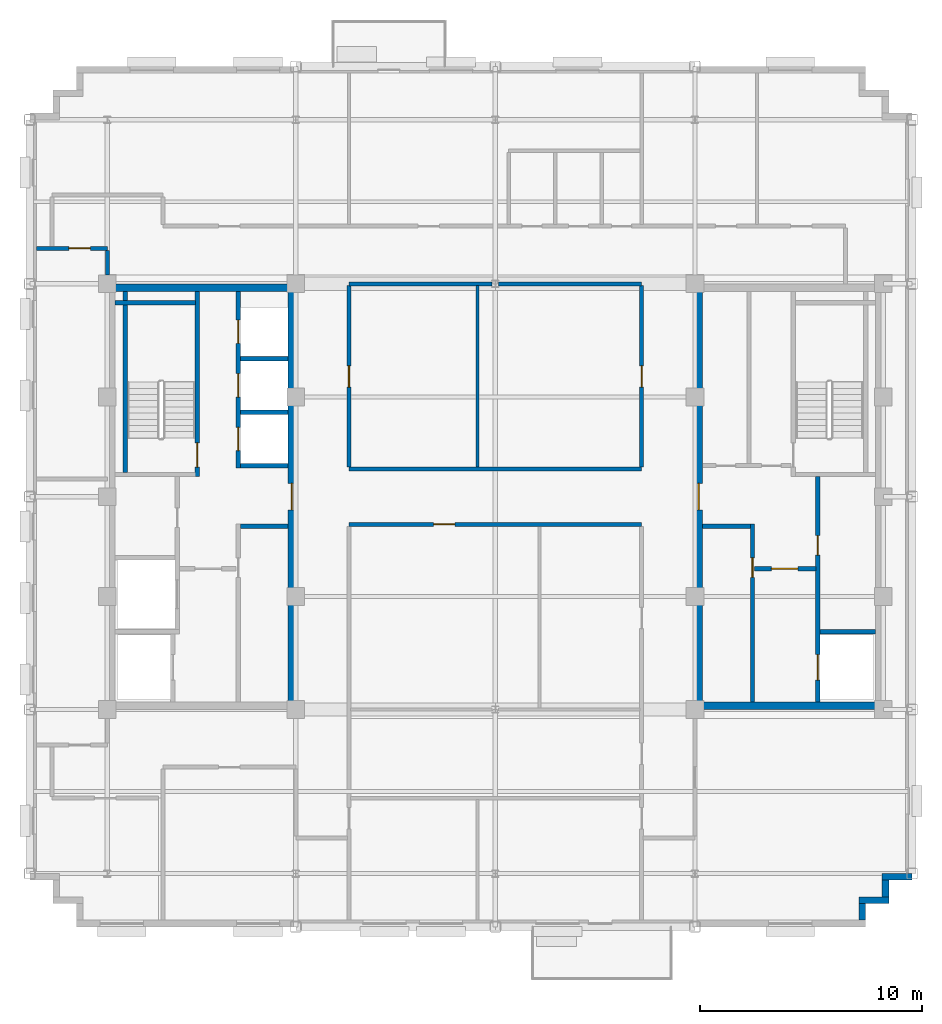
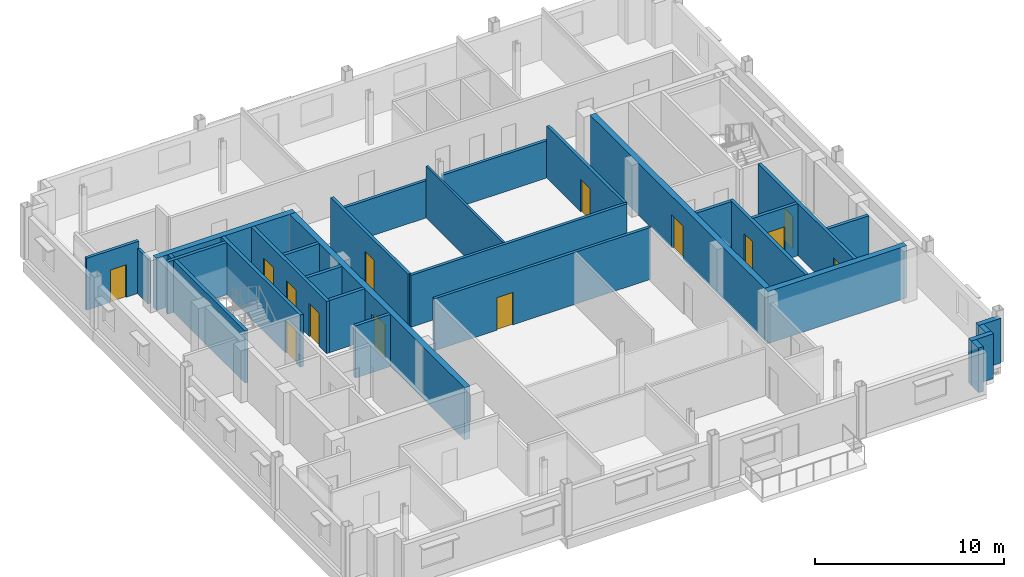
# One storey, part 7 of 13: 30 walls, 14 doors, 14 openings.
"""IFC4 building model written with IfcOpenShell, lengths in metres."""

from ifc_helpers import new_model, si_unit, direction, frame, frame_2d, origin, place, context, subcontext, project, spatial, rectangle, extrude, source, transform, mapped, material, layer, layer_set, type_object, type_shapes, element, fill, save


model = new_model("IFC4")

# Units and contexts
model_context = context("Model", 3, precision=1e-05, world=origin(), true_north=direction((0.0, 1.0)))
body_context = subcontext(model_context, "Body", "Model", "MODEL_VIEW")
ifc_project = project(units=[si_unit("LENGTHUNIT", "METRE"), si_unit("AREAUNIT", "SQUARE_METRE"), si_unit("VOLUMEUNIT", "CUBIC_METRE"), si_unit("PLANEANGLEUNIT", "RADIAN"), si_unit("MASSUNIT", "GRAM", prefix="KILO")], contexts=[model_context])

# Site, building, storey
site_placement = place(None, origin())
site = spatial("IfcSite", under=ifc_project, at=site_placement, CompositionType="ELEMENT")
building_placement = place(site_placement, origin())
building = spatial("IfcBuilding", under=site, at=building_placement, Name="Nuvemarco Arch Tower", CompositionType="ELEMENT")
storey_placement = place(building_placement, frame((0.0, 0.0, 279.85009765625)))
storey = spatial("IfcBuildingStorey", under=building, at=storey_placement, Name="L74", CompositionType="ELEMENT", Elevation=279.85009765625)

# Walls
ifc_material_1 = material(Name="Precast concrete C45/55", Category="concrete")
ifc_layer_1 = layer(ifc_material_1, 0.300048828125, Name="EW-HIGH-300")
ifc_layer_set_1 = layer_set([ifc_layer_1], Name="Precast concrete C45/55")
wall_type_1 = type_object("IfcWallType", Name="EW-HIGH-300", PredefinedType="STANDARD", material=ifc_layer_set_1)
wall_1_placement = place(storey_placement, frame((16.550048828125, -19.10400390625, 0.0), z_axis=(0.0, 0.0, 1.0), x_axis=(0.0, 1.0, 0.0)))
element("IfcWall", 1, at=wall_1_placement, inside=storey, type_object=wall_type_1, Name="L74 exterior precast facade wall 2", PredefinedType="STANDARD", context=body_context, shape_type="SweptSolid", body=[
    extrude(rectangle(XDim=0.758056640625, YDim=0.300048828125, at=frame_2d((0.37890625, 0.0))), origin(), (0.0, 0.0, 1.0), 2.891845703125),
])
wall_2_placement = place(storey_placement, frame((16.39990234375, -18.199951171875, 0.0), z_axis=(0.0, 0.0, 1.0), x_axis=(1.0, 0.0, 0.0)))
element("IfcWall", 2, at=wall_2_placement, inside=storey, type_object=wall_type_1, Name="L74 exterior precast facade wall 3", PredefinedType="STANDARD", context=body_context, shape_type="SweptSolid", body=[
    extrude(rectangle(XDim=1.35009765625, YDim=0.300048828125, at=frame_2d((0.675048828125, 0.0))), origin(), (0.0, 0.0, 1.0), 2.891845703125),
])
wall_3_placement = place(storey_placement, frame((17.60009765625, -18.053955078125, 0.0), z_axis=(0.0, 0.0, 1.0), x_axis=(0.0, 1.0, 0.0)))
element("IfcWall", 3, at=wall_3_placement, inside=storey, type_object=wall_type_1, Name="L74 exterior precast facade wall 4", PredefinedType="STANDARD", context=body_context, shape_type="SweptSolid", body=[
    extrude(rectangle(XDim=0.758056640625, YDim=0.300048828125, at=frame_2d((0.37890625, 0.0))), origin(), (0.0, 0.0, 1.0), 2.891845703125),
])
wall_4_placement = place(storey_placement, frame((17.449951171875, -17.14990234375, 0.0), z_axis=(0.0, 0.0, 1.0), x_axis=(1.0, 0.0, 0.0)))
element("IfcWall", 4, at=wall_4_placement, inside=storey, type_object=wall_type_1, Name="L74 exterior precast facade wall 5", PredefinedType="STANDARD", context=body_context, shape_type="SweptSolid", body=[
    extrude(rectangle(XDim=1.35009765625, YDim=0.300048828125, at=frame_2d((0.675048828125, 0.0))), origin(), (0.0, 0.0, 1.0), 2.891845703125),
])
ifc_material_2 = material(Name="Concrete C50/60", Category="concrete")
ifc_layer_2 = layer(ifc_material_2, 0.35009765625, Name="WL-CORE-350")
ifc_layer_set_2 = layer_set([ifc_layer_2], Name="Concrete C50/60")
wall_type_2 = type_object("IfcWallType", Name="WL-CORE-350", PredefinedType="SHEAR", material=ifc_layer_set_2)
wall_5_placement = place(storey_placement, frame((-17.5, 9.425048828125, 0.0), z_axis=(0.0, 0.0, 1.0), x_axis=(1.0, 0.0, 0.0)))
element("IfcWall", 5, at=wall_5_placement, inside=storey, type_object=wall_type_2, Name="L74 W-core shear wall N", PredefinedType="SHEAR", context=body_context, shape_type="SweptSolid", body=[
    extrude(rectangle(XDim=8.5, YDim=0.35009765625, at=frame_2d((4.25, 0.0))), origin(), (0.0, 0.0, 1.0), 3.369873046875),
])

# Wall, opening, door
wall_6_placement = place(storey_placement, frame((-9.175048828125, -9.2548828125, 0.0), z_axis=(0.0, 0.0, 1.0), x_axis=(0.0, 1.0, 0.0)))
wall_6 = element("IfcWall", 6, at=wall_6_placement, inside=storey, type_object=wall_type_2, Name="L74 W-core shear wall E", PredefinedType="SHEAR", context=body_context, shape_type="SweptSolid", body=[
    extrude(rectangle(XDim=18.509765625, YDim=0.35009765625, at=frame_2d((9.2548828125, 0.0))), origin(), (0.0, 0.0, 1.0), 3.369873046875),
])
opening_1_placement = place(wall_6_placement, frame((8.655029296875, 0.0, 0.0)))
opening_1 = element("IfcOpeningElement", 7, at=opening_1_placement, cuts=wall_6, Name="Opening FD-2", PredefinedType="OPENING", context=body_context, shape_type="SweptSolid", body=[
    extrude(rectangle(XDim=1.199951171875, YDim=2.14990234375, at=frame_2d((0.60009765625, 1.074951171875))), frame((0.0, 0.18505859375, 0.0), z_axis=(0.0, -1.0, 0.0), x_axis=(1.0, 0.0, 0.0)), (0.0, 0.0, 1.0), 0.3701171875),
])
ifc_material_3 = material(Name="Anodised steel fire door", Category="steel")
door_type_1 = type_object("IfcDoorType", Name="DR-FFLOB-FD", OperationType="NOTDEFINED", PredefinedType="DOOR", material=ifc_material_3)
shared_shape_1 = source(origin(), body_context, "Body", "SweptSolid", [
    extrude(rectangle(XDim=1.199951171875, YDim=2.14990234375, at=frame_2d((0.60009765625, 1.074951171875))), frame((0.0, 0.02490234375, 0.0), z_axis=(0.0, -1.0, 0.0), x_axis=(1.0, 0.0, 0.0)), (0.0, 0.0, 1.0), 0.050048828125),
])
type_shapes(door_type_1, [shared_shape_1])
door_1_placement = place(opening_1_placement, origin())
door_1 = element("IfcDoor", 8, at=door_1_placement, inside=storey, type_object=door_type_1, Name="L74 door FD-L74-WCORE-E", OperationType="SINGLE_SWING_RIGHT", OverallHeight=2.14990234375, OverallWidth=1.199951171875, PredefinedType="DOOR", context=body_context, shape_type="MappedRepresentation", body=[
    mapped(shared_shape_1, transform((0.0, 0.0, 0.0), scale=1.0)),
])
fill(opening_1, door_1)

# Wall
wall_7_placement = place(storey_placement, frame((9.0, -9.425048828125, 0.0), z_axis=(0.0, 0.0, 1.0), x_axis=(1.0, 0.0, 0.0)))
element("IfcWall", 9, at=wall_7_placement, inside=storey, type_object=wall_type_2, Name="L74 E-core shear wall S", PredefinedType="SHEAR", context=body_context, shape_type="SweptSolid", body=[
    extrude(rectangle(XDim=8.5, YDim=0.35009765625, at=frame_2d((4.25, 0.0))), origin(), (0.0, 0.0, 1.0), 3.369873046875),
])

# Wall, opening, door
wall_8_placement = place(storey_placement, frame((9.175048828125, -9.2548828125, 0.0), z_axis=(0.0, 0.0, 1.0), x_axis=(0.0, 1.0, 0.0)))
wall_8 = element("IfcWall", 10, at=wall_8_placement, inside=storey, type_object=wall_type_2, Name="L74 E-core shear wall W", PredefinedType="SHEAR", context=body_context, shape_type="SweptSolid", body=[
    extrude(rectangle(XDim=18.509765625, YDim=0.35009765625, at=frame_2d((9.2548828125, 0.0))), origin(), (0.0, 0.0, 1.0), 3.369873046875),
])
opening_2_placement = place(wall_8_placement, frame((8.655029296875, 0.0, 0.0)))
opening_2 = element("IfcOpeningElement", 11, at=opening_2_placement, cuts=wall_8, Name="Opening FD-2", PredefinedType="OPENING", context=body_context, shape_type="SweptSolid", body=[
    extrude(rectangle(XDim=1.199951171875, YDim=2.14990234375, at=frame_2d((0.60009765625, 1.074951171875))), frame((0.0, 0.18505859375, 0.0), z_axis=(0.0, -1.0, 0.0), x_axis=(1.0, 0.0, 0.0)), (0.0, 0.0, 1.0), 0.3701171875),
])
door_2_placement = place(opening_2_placement, origin())
door_2 = element("IfcDoor", 12, at=door_2_placement, inside=storey, type_object=door_type_1, Name="L74 door FD-L74-ECORE-W", OperationType="SINGLE_SWING_LEFT", OverallHeight=2.14990234375, OverallWidth=1.199951171875, PredefinedType="DOOR", context=body_context, shape_type="MappedRepresentation", body=[
    mapped(shared_shape_1, transform((0.0, 0.0, 0.0), scale=1.0)),
])
fill(opening_2, door_2)

ifc_material_4 = material(Name="Fire-rated gypsum drywall partition")
ifc_layer_3 = layer(ifc_material_4, 0.179931640625, Name="WL-CORR-180")
ifc_layer_set_3 = layer_set([ifc_layer_3], Name="Fire-rated gypsum drywall partition")
wall_type_3 = type_object("IfcWallType", Name="WL-CORR-180", PredefinedType="PARTITIONING", material=ifc_layer_set_3)
wall_9_placement = place(storey_placement, frame((-6.60009765625, -1.25, 0.0), z_axis=(0.0, 0.0, 1.0), x_axis=(1.0, 0.0, 0.0)))
wall_9 = element("IfcWall", 13, at=wall_9_placement, inside=storey, type_object=wall_type_3, Name="L74 interior wall IW-L74-009", PredefinedType="PARTITIONING", context=body_context, shape_type="SweptSolid", body=[
    extrude(rectangle(XDim=13.2001953125, YDim=0.179931640625, at=frame_2d((6.60009765625, 0.0))), origin(), (0.0, 0.0, 1.0), 3.35986328125),
])
opening_3_placement = place(wall_9_placement, frame((3.820068359375, 0.0, 0.0)))
opening_3 = element("IfcOpeningElement", 14, at=opening_3_placement, cuts=wall_9, Name="Opening FD-5", PredefinedType="OPENING", context=body_context, shape_type="SweptSolid", body=[
    extrude(rectangle(XDim=0.9599609375, YDim=2.10009765625, at=frame_2d((0.47998046875, 1.050048828125))), frame((0.0, 0.099853515625, 0.0), z_axis=(0.0, -1.0, 0.0), x_axis=(1.0, 0.0, 0.0)), (0.0, 0.0, 1.0), 0.199951171875),
])
ifc_material_5 = material(Name="Timber fire door", Category="wood")
door_type_2 = type_object("IfcDoorType", Name="DR-CORR-FD", OperationType="NOTDEFINED", PredefinedType="DOOR", material=ifc_material_5)
shared_shape_2 = source(origin(), body_context, "Body", "SweptSolid", [
    extrude(rectangle(XDim=0.9599609375, YDim=2.10009765625, at=frame_2d((0.47998046875, 1.050048828125))), frame((0.0, 0.02490234375, 0.0), z_axis=(0.0, -1.0, 0.0), x_axis=(1.0, 0.0, 0.0)), (0.0, 0.0, 1.0), 0.050048828125),
])
type_shapes(door_type_2, [shared_shape_2])
door_3_placement = place(opening_3_placement, origin())
door_3 = element("IfcDoor", 15, at=door_3_placement, inside=storey, type_object=door_type_2, Name="L74 door DR-L74-C_S1", OperationType="SINGLE_SWING_RIGHT", OverallHeight=2.10009765625, OverallWidth=0.9599609375, PredefinedType="DOOR", context=body_context, shape_type="MappedRepresentation", body=[
    mapped(shared_shape_2, transform((0.0, 0.0, 0.0), scale=1.0)),
])
fill(opening_3, door_3)

# Walls
wall_10_placement = place(storey_placement, frame((-6.60009765625, 1.25, 0.0), z_axis=(0.0, 0.0, 1.0), x_axis=(1.0, 0.0, 0.0)))
element("IfcWall", 16, at=wall_10_placement, inside=storey, type_object=wall_type_3, Name="L74 interior wall IW-L74-011", PredefinedType="PARTITIONING", context=body_context, shape_type="SweptSolid", body=[
    extrude(rectangle(XDim=13.2001953125, YDim=0.179931640625, at=frame_2d((6.60009765625, 0.0))), origin(), (0.0, 0.0, 1.0), 3.35986328125),
])
for number, where, z_axis, x_axis, name in (
    (17, (-6.60009765625, 9.60009765625, 0.0), (0.0, 0.0, 1.0), (1.0, 0.0, 0.0), "L74 interior wall IW-L74-012"),
    (18, (0.15087890625, 9.60009765625, 0.0), (0.0, 0.0, 1.0), (1.0, 0.0, 0.0), "L74 interior wall IW-L74-013"),
):
    element("IfcWall", number, at=place(storey_placement, frame(where, z_axis=z_axis, x_axis=x_axis)), inside=storey, type_object=wall_type_3, Name=name, PredefinedType="PARTITIONING", context=body_context, shape_type="SweptSolid", body=[
        extrude(rectangle(XDim=6.44921875, YDim=0.179931640625, at=frame_2d((3.224609375, 0.0))), origin(), (0.0, 0.0, 1.0), 2.40478515625),
    ])

# Wall, opening, door
wall_11_placement = place(storey_placement, frame((-20.699951171875, 11.199951171875, 0.0), z_axis=(0.0, 0.0, 1.0), x_axis=(1.0, 0.0, 0.0)))
wall_11 = element("IfcWall", 19, at=wall_11_placement, inside=storey, type_object=wall_type_3, Name="L74 interior wall IW-L74-014", PredefinedType="PARTITIONING", context=body_context, shape_type="SweptSolid", body=[
    extrude(rectangle(XDim=3.199951171875, YDim=0.179931640625, at=frame_2d((1.60009765625, 0.0))), origin(), (0.0, 0.0, 1.0), 3.35986328125),
])
opening_4_placement = place(wall_11_placement, frame((1.469970703125, 0.0, 0.0)))
opening_4 = element("IfcOpeningElement", 20, at=opening_4_placement, cuts=wall_11, Name="Opening FD-5", PredefinedType="OPENING", context=body_context, shape_type="SweptSolid", body=[
    extrude(rectangle(XDim=0.9599609375, YDim=2.10009765625, at=frame_2d((0.47998046875, 1.050048828125))), frame((0.0, 0.099853515625, 0.0), z_axis=(0.0, -1.0, 0.0), x_axis=(1.0, 0.0, 0.0)), (0.0, 0.0, 1.0), 0.199951171875),
])
door_4_placement = place(opening_4_placement, origin())
door_4 = element("IfcDoor", 21, at=door_4_placement, inside=storey, type_object=door_type_2, Name="L74 door DR-L74-W_2", OperationType="SINGLE_SWING_LEFT", OverallHeight=2.10009765625, OverallWidth=0.9599609375, PredefinedType="DOOR", context=body_context, shape_type="MappedRepresentation", body=[
    mapped(shared_shape_2, transform((0.0, 0.0, 0.0), scale=1.0)),
])
fill(opening_4, door_4)

# Wall
wall_12_placement = place(storey_placement, frame((-17.5, 9.99609375, 0.0), z_axis=(0.0, 0.0, 1.0), x_axis=(0.0, 1.0, 0.0)))
element("IfcWall", 22, at=wall_12_placement, inside=storey, type_object=wall_type_3, Name="L74 interior wall IW-L74-021", PredefinedType="PARTITIONING", context=body_context, shape_type="SweptSolid", body=[
    extrude(rectangle(XDim=1.117919921875, YDim=0.179931640625, at=frame_2d((0.55908203125, 0.0))), origin(), (0.0, 0.0, 1.0), 2.891845703125),
])

# Wall, opening, door
wall_13_placement = place(storey_placement, frame((-6.60009765625, 1.3359375, 0.0), z_axis=(0.0, 0.0, 1.0), x_axis=(0.0, 1.0, 0.0)))
wall_13 = element("IfcWall", 23, at=wall_13_placement, inside=storey, type_object=wall_type_3, Name="L74 interior wall IW-L74-026", PredefinedType="PARTITIONING", context=body_context, shape_type="SweptSolid", body=[
    extrude(rectangle(XDim=8.177978515625, YDim=0.179931640625, at=frame_2d((4.0888671875, 0.0))), origin(), (0.0, 0.0, 1.0), 3.35986328125),
])
opening_5_placement = place(wall_13_placement, frame((3.60888671875, 0.0, 0.0)))
opening_5 = element("IfcOpeningElement", 24, at=opening_5_placement, cuts=wall_13, Name="Opening FD-5", PredefinedType="OPENING", context=body_context, shape_type="SweptSolid", body=[
    extrude(rectangle(XDim=0.9599609375, YDim=2.10009765625, at=frame_2d((0.47998046875, 1.050048828125))), frame((0.0, 0.099853515625, 0.0), z_axis=(0.0, -1.0, 0.0), x_axis=(1.0, 0.0, 0.0)), (0.0, 0.0, 1.0), 0.199951171875),
])
door_5_placement = place(opening_5_placement, origin())
door_5 = element("IfcDoor", 25, at=door_5_placement, inside=storey, type_object=door_type_2, Name="L74 door DR-L74-C_N1", OperationType="SINGLE_SWING_RIGHT", OverallHeight=2.10009765625, OverallWidth=0.9599609375, PredefinedType="DOOR", context=body_context, shape_type="MappedRepresentation", body=[
    mapped(shared_shape_2, transform((0.0, 0.0, 0.0), scale=1.0)),
])
fill(opening_5, door_5)

wall_14_placement = place(storey_placement, frame((6.60009765625, 1.3359375, 0.0), z_axis=(0.0, 0.0, 1.0), x_axis=(0.0, 1.0, 0.0)))
wall_14 = element("IfcWall", 26, at=wall_14_placement, inside=storey, type_object=wall_type_3, Name="L74 interior wall IW-L74-035", PredefinedType="PARTITIONING", context=body_context, shape_type="SweptSolid", body=[
    extrude(rectangle(XDim=8.177978515625, YDim=0.179931640625, at=frame_2d((4.0888671875, 0.0))), origin(), (0.0, 0.0, 1.0), 3.35986328125),
])
opening_6_placement = place(wall_14_placement, frame((3.60888671875, 0.0, 0.0)))
opening_6 = element("IfcOpeningElement", 27, at=opening_6_placement, cuts=wall_14, Name="Opening FD-5", PredefinedType="OPENING", context=body_context, shape_type="SweptSolid", body=[
    extrude(rectangle(XDim=0.9599609375, YDim=2.10009765625, at=frame_2d((0.47998046875, 1.050048828125))), frame((0.0, 0.099853515625, 0.0), z_axis=(0.0, -1.0, 0.0), x_axis=(1.0, 0.0, 0.0)), (0.0, 0.0, 1.0), 0.199951171875),
])
door_6_placement = place(opening_6_placement, origin())
door_6 = element("IfcDoor", 28, at=door_6_placement, inside=storey, type_object=door_type_2, Name="L74 door DR-L74-C_N2", OperationType="SINGLE_SWING_LEFT", OverallHeight=2.10009765625, OverallWidth=0.9599609375, PredefinedType="DOOR", context=body_context, shape_type="MappedRepresentation", body=[
    mapped(shared_shape_2, transform((0.0, 0.0, 0.0), scale=1.0)),
])
fill(opening_6, door_6)

# Wall
ifc_material_6 = material(Name="Glazed acoustic office partition")
ifc_layer_4 = layer(ifc_material_6, 0.1298828125, Name="WL-EXEC-130")
ifc_layer_set_4 = layer_set([ifc_layer_4], Name="Glazed acoustic office partition")
wall_type_4 = type_object("IfcWallType", Name="WL-EXEC-130", PredefinedType="PARTITIONING", material=ifc_layer_set_4)
wall_15_placement = place(storey_placement, frame((-0.800048828125, 1.3359375, 0.0), z_axis=(0.0, 0.0, 1.0), x_axis=(0.0, 1.0, 0.0)))
element("IfcWall", 29, at=wall_15_placement, inside=storey, type_object=wall_type_4, Name="L74 interior wall IW-L74-029", PredefinedType="PARTITIONING", context=body_context, shape_type="SweptSolid", body=[
    extrude(rectangle(XDim=8.177978515625, YDim=0.1298828125, at=frame_2d((4.0888671875, 0.0))), origin(), (0.0, 0.0, 1.0), 3.35986328125),
])

# Wall, opening, door
ifc_layer_5 = layer(ifc_material_2, 0.199951171875, Name="WL-SHAFT-220")
ifc_layer_set_5 = layer_set([ifc_layer_5], Name="Concrete C50/60")
wall_type_5 = type_object("IfcWallType", Name="WL-SHAFT-220", PredefinedType="SHEAR", material=ifc_layer_set_5)
wall_16_placement = place(storey_placement, frame((-13.43994140625, 0.89990234375, 0.0), z_axis=(0.0, 0.0, 1.0), x_axis=(0.0, 1.0, 0.0)))
wall_16 = element("IfcWall", 30, at=wall_16_placement, inside=storey, type_object=wall_type_5, Name="L74 structural shaft wall SW-L74-W-ST1E", PredefinedType="SHEAR", context=body_context, shape_type="SweptSolid", body=[
    extrude(rectangle(XDim=8.35498046875, YDim=0.199951171875, at=frame_2d((4.177490234375, 0.0))), origin(), (0.0, 0.0, 1.0), 3.369873046875),
])
opening_7_placement = place(wall_16_placement, frame((1.530029296875, 0.0, 0.0), z_axis=(0.0, 0.0, 1.0), x_axis=(-1.0, 0.0, 0.0)))
opening_7 = element("IfcOpeningElement", 31, at=opening_7_placement, cuts=wall_16, Name="Opening FD-1", PredefinedType="OPENING", context=body_context, shape_type="SweptSolid", body=[
    extrude(rectangle(XDim=1.10009765625, YDim=2.14990234375, at=frame_2d((0.550048828125, 1.074951171875))), frame((0.0, 0.10986328125, 0.0), z_axis=(0.0, -1.0, 0.0), x_axis=(1.0, 0.0, 0.0)), (0.0, 0.0, 1.0), 0.219970703125),
])
door_type_3 = type_object("IfcDoorType", Name="DR-STAIR-FD", OperationType="NOTDEFINED", PredefinedType="DOOR", material=ifc_material_3)
shared_shape_3 = source(origin(), body_context, "Body", "SweptSolid", [
    extrude(rectangle(XDim=1.10009765625, YDim=2.14990234375, at=frame_2d((0.550048828125, 1.074951171875))), frame((0.0, 0.02490234375, 0.0), z_axis=(0.0, -1.0, 0.0), x_axis=(1.0, 0.0, 0.0)), (0.0, 0.0, 1.0), 0.050048828125),
])
type_shapes(door_type_3, [shared_shape_3])
door_7_placement = place(opening_7_placement, origin())
door_7 = element("IfcDoor", 32, at=door_7_placement, inside=storey, type_object=door_type_3, Name="L74 door FD-L74-ST1", OperationType="SINGLE_SWING_RIGHT", OverallHeight=2.14990234375, OverallWidth=1.10009765625, PredefinedType="DOOR", context=body_context, shape_type="MappedRepresentation", body=[
    mapped(shared_shape_3, transform((0.0, 0.0, 0.0), scale=1.0)),
])
fill(opening_7, door_7)

# Walls
wall_17_placement = place(storey_placement, frame((-17.155029296875, 8.75, 0.0), z_axis=(0.0, 0.0, 1.0), x_axis=(1.0, 0.0, 0.0)))
element("IfcWall", 33, at=wall_17_placement, inside=storey, type_object=wall_type_5, Name="L74 structural shaft wall SW-L74-W-ST1N", PredefinedType="SHEAR", context=body_context, shape_type="SweptSolid", body=[
    extrude(rectangle(XDim=3.6201171875, YDim=0.199951171875, at=frame_2d((1.81005859375, 0.0))), origin(), (0.0, 0.0, 1.0), 3.369873046875),
])
wall_18_placement = place(storey_placement, frame((-16.699951171875, 1.094970703125, 0.0), z_axis=(0.0, 0.0, 1.0), x_axis=(0.0, 1.0, 0.0)))
element("IfcWall", 34, at=wall_18_placement, inside=storey, type_object=wall_type_5, Name="L74 structural shaft wall SW-L74-W-ST1W", PredefinedType="SHEAR", context=body_context, shape_type="SweptSolid", body=[
    extrude(rectangle(XDim=8.159912109375, YDim=0.199951171875, at=frame_2d((4.080078125, 0.0))), origin(), (0.0, 0.0, 1.0), 3.369873046875),
])
wall_19_placement = place(storey_placement, frame((-11.5048828125, -1.330078125, 0.0), z_axis=(0.0, 0.0, 1.0), x_axis=(1.0, 0.0, 0.0)))
element("IfcWall", 35, at=wall_19_placement, inside=storey, type_object=wall_type_5, Name="L74 structural shaft wall SW-L74-W-PLTOP", PredefinedType="SHEAR", context=body_context, shape_type="SweptSolid", body=[
    extrude(rectangle(XDim=2.159912109375, YDim=0.199951171875, at=frame_2d((1.080078125, 0.0))), origin(), (0.0, 0.0, 1.0), 3.369873046875),
])

# Wall, openings, doors
wall_20_placement = place(storey_placement, frame((-11.60009765625, 1.300048828125, 0.0), z_axis=(0.0, 0.0, 1.0), x_axis=(0.0, 1.0, 0.0)))
wall_20 = element("IfcWall", 36, at=wall_20_placement, inside=storey, type_object=wall_type_5, Name="L74 structural shaft wall SW-L74-W-PHW", PredefinedType="SHEAR", context=body_context, shape_type="SweptSolid", body=[
    extrude(rectangle(XDim=7.954833984375, YDim=0.199951171875, at=frame_2d((3.9775390625, 0.0))), origin(), (0.0, 0.0, 1.0), 3.369873046875),
])
opening_8_placement = place(wall_20_placement, frame((0.77490234375, 0.0, 0.0)))
opening_8 = element("IfcOpeningElement", 37, at=opening_8_placement, cuts=wall_20, Name="Opening LD-1", PredefinedType="OPENING", context=body_context, shape_type="SweptSolid", body=[
    extrude(rectangle(XDim=1.050048828125, YDim=2.14990234375, at=frame_2d((0.52490234375, 1.074951171875))), frame((0.0, 0.10986328125, 0.0), z_axis=(0.0, -1.0, 0.0), x_axis=(1.0, 0.0, 0.0)), (0.0, 0.0, 1.0), 0.219970703125),
])
opening_9_placement = place(wall_20_placement, frame((3.195068359375, 0.0, 0.0)))
opening_9 = element("IfcOpeningElement", 38, at=opening_9_placement, cuts=wall_20, Name="Opening LD-1", PredefinedType="OPENING", context=body_context, shape_type="SweptSolid", body=[
    extrude(rectangle(XDim=1.050048828125, YDim=2.14990234375, at=frame_2d((0.52490234375, 1.074951171875))), frame((0.0, 0.10986328125, 0.0), z_axis=(0.0, -1.0, 0.0), x_axis=(1.0, 0.0, 0.0)), (0.0, 0.0, 1.0), 0.219970703125),
])
opening_10_placement = place(wall_20_placement, frame((5.614990234375, 0.0, 0.0)))
opening_10 = element("IfcOpeningElement", 39, at=opening_10_placement, cuts=wall_20, Name="Opening LD-1", PredefinedType="OPENING", context=body_context, shape_type="SweptSolid", body=[
    extrude(rectangle(XDim=1.050048828125, YDim=2.14990234375, at=frame_2d((0.52490234375, 1.074951171875))), frame((0.0, 0.10986328125, 0.0), z_axis=(0.0, -1.0, 0.0), x_axis=(1.0, 0.0, 0.0)), (0.0, 0.0, 1.0), 0.219970703125),
])
ifc_material_7 = material(Name="Stainless steel lift door", Category="steel")
door_type_4 = type_object("IfcDoorType", Name="DR-LIFT-PASS", OperationType="DOUBLE_DOOR_SLIDING", PredefinedType="DOOR", material=ifc_material_7)
shared_shape_4 = source(origin(), body_context, "Body", "SweptSolid", [
    extrude(rectangle(XDim=1.050048828125, YDim=2.14990234375, at=frame_2d((0.52490234375, 1.074951171875))), frame((0.0, 0.02490234375, 0.0), z_axis=(0.0, -1.0, 0.0), x_axis=(1.0, 0.0, 0.0)), (0.0, 0.0, 1.0), 0.050048828125),
])
type_shapes(door_type_4, [shared_shape_4])
door_8_placement = place(opening_8_placement, origin())
door_8 = element("IfcDoor", 40, at=door_8_placement, inside=storey, type_object=door_type_4, Name="L74 Lift landing sliding door PH-1", OperationType="DOUBLE_DOOR_SLIDING", OverallHeight=2.14990234375, OverallWidth=1.050048828125, PredefinedType="DOOR", context=body_context, shape_type="MappedRepresentation", body=[
    mapped(shared_shape_4, transform((0.0, 0.0, 0.0), scale=1.0)),
])
fill(opening_8, door_8)
door_9_placement = place(opening_9_placement, origin())
door_9 = element("IfcDoor", 41, at=door_9_placement, inside=storey, type_object=door_type_4, Name="L74 Lift landing sliding door PH-2", OperationType="DOUBLE_DOOR_SLIDING", OverallHeight=2.14990234375, OverallWidth=1.050048828125, PredefinedType="DOOR", context=body_context, shape_type="MappedRepresentation", body=[
    mapped(shared_shape_4, transform((0.0, 0.0, 0.0), scale=1.0)),
])
fill(opening_9, door_9)
door_10_placement = place(opening_10_placement, origin())
door_10 = element("IfcDoor", 42, at=door_10_placement, inside=storey, type_object=door_type_4, Name="L74 Lift landing sliding door PH-3", OperationType="DOUBLE_DOOR_SLIDING", OverallHeight=2.14990234375, OverallWidth=1.050048828125, PredefinedType="DOOR", context=body_context, shape_type="MappedRepresentation", body=[
    mapped(shared_shape_4, transform((0.0, 0.0, 0.0), scale=1.0)),
])
fill(opening_10, door_10)

# Walls
for number, where, z_axis, x_axis, name in (
    (43, (-11.5048828125, 1.39990234375, 0.0), (0.0, 0.0, 1.0), (1.0, 0.0, 0.0), "L74 structural shaft wall SW-L74-W-PHD1"),
    (44, (-11.5048828125, 3.800048828125, 0.0), (0.0, 0.0, 1.0), (1.0, 0.0, 0.0), "L74 structural shaft wall SW-L74-W-PHD2"),
    (45, (-11.5048828125, 6.219970703125, 0.0), (0.0, 0.0, 1.0), (1.0, 0.0, 0.0), "L74 structural shaft wall SW-L74-W-PHD3"),
):
    element("IfcWall", number, at=place(storey_placement, frame(where, z_axis=z_axis, x_axis=x_axis)), inside=storey, type_object=wall_type_5, Name=name, PredefinedType="SHEAR", context=body_context, shape_type="SweptSolid", body=[
        extrude(rectangle(XDim=2.159912109375, YDim=0.199951171875, at=frame_2d((1.080078125, 0.0))), origin(), (0.0, 0.0, 1.0), 3.369873046875),
    ])

# Wall, openings, doors
wall_21_placement = place(storey_placement, frame((14.550048828125, -9.2548828125, 0.0), z_axis=(0.0, 0.0, 1.0), x_axis=(0.0, 1.0, 0.0)))
wall_21 = element("IfcWall", 46, at=wall_21_placement, inside=storey, type_object=wall_type_5, Name="L74 structural shaft wall SW-L74-E-SHW", PredefinedType="SHEAR", context=body_context, shape_type="SweptSolid", body=[
    extrude(rectangle(XDim=10.159912109375, YDim=0.199951171875, at=frame_2d((5.080078125, 0.0))), origin(), (0.0, 0.0, 1.0), 3.369873046875),
])
opening_11_placement = place(wall_21_placement, frame((6.614990234375, 0.0, 0.0)))
opening_11 = element("IfcOpeningElement", 47, at=opening_11_placement, cuts=wall_21, Name="Opening FD-4", PredefinedType="OPENING", context=body_context, shape_type="SweptSolid", body=[
    extrude(rectangle(XDim=0.8798828125, YDim=2.10009765625, at=frame_2d((0.43994140625, 1.050048828125))), frame((0.0, 0.10986328125, 0.0), z_axis=(0.0, -1.0, 0.0), x_axis=(1.0, 0.0, 0.0)), (0.0, 0.0, 1.0), 0.219970703125),
])
opening_12_placement = place(wall_21_placement, frame((0.97998046875, 0.0, 0.0)))
opening_12 = element("IfcOpeningElement", 48, at=opening_12_placement, cuts=wall_21, Name="Opening LD-2", PredefinedType="OPENING", context=body_context, shape_type="SweptSolid", body=[
    extrude(rectangle(XDim=1.14990234375, YDim=2.14990234375, at=frame_2d((0.574951171875, 1.074951171875))), frame((0.0, 0.10986328125, 0.0), z_axis=(0.0, -1.0, 0.0), x_axis=(1.0, 0.0, 0.0)), (0.0, 0.0, 1.0), 0.219970703125),
])
door_type_5 = type_object("IfcDoorType", Name="DR-RISER-FD", OperationType="NOTDEFINED", PredefinedType="DOOR", material=ifc_material_3)
shared_shape_5 = source(origin(), body_context, "Body", "SweptSolid", [
    extrude(rectangle(XDim=0.8798828125, YDim=2.10009765625, at=frame_2d((0.43994140625, 1.050048828125))), frame((0.0, 0.02490234375, 0.0), z_axis=(0.0, -1.0, 0.0), x_axis=(1.0, 0.0, 0.0)), (0.0, 0.0, 1.0), 0.050048828125),
])
type_shapes(door_type_5, [shared_shape_5])
door_11_placement = place(opening_11_placement, origin())
door_11 = element("IfcDoor", 49, at=door_11_placement, inside=storey, type_object=door_type_5, Name="L74 door FD-L74-ERIS", OperationType="SINGLE_SWING_LEFT", OverallHeight=2.10009765625, OverallWidth=0.8798828125, PredefinedType="DOOR", context=body_context, shape_type="MappedRepresentation", body=[
    mapped(shared_shape_5, transform((0.0, 0.0, 0.0), scale=1.0)),
])
fill(opening_11, door_11)
door_type_6 = type_object("IfcDoorType", Name="DR-LIFT-FIRE", OperationType="DOUBLE_DOOR_SLIDING", PredefinedType="DOOR", material=ifc_material_7)
shared_shape_6 = source(origin(), body_context, "Body", "SweptSolid", [
    extrude(rectangle(XDim=1.14990234375, YDim=2.14990234375, at=frame_2d((0.574951171875, 1.074951171875))), frame((0.0, 0.02490234375, 0.0), z_axis=(0.0, -1.0, 0.0), x_axis=(1.0, 0.0, 0.0)), (0.0, 0.0, 1.0), 0.050048828125),
])
type_shapes(door_type_6, [shared_shape_6])
door_12_placement = place(opening_12_placement, origin())
door_12 = element("IfcDoor", 50, at=door_12_placement, inside=storey, type_object=door_type_6, Name="L74 Lift landing sliding door FFL-2", OperationType="DOUBLE_DOOR_SLIDING", OverallHeight=2.14990234375, OverallWidth=1.14990234375, PredefinedType="DOOR", context=body_context, shape_type="MappedRepresentation", body=[
    mapped(shared_shape_6, transform((0.0, 0.0, 0.0), scale=1.0)),
])
fill(opening_12, door_12)

# Wall
wall_22_placement = place(storey_placement, frame((14.64501953125, -6.10009765625, 0.0), z_axis=(0.0, 0.0, 1.0), x_axis=(1.0, 0.0, 0.0)))
element("IfcWall", 51, at=wall_22_placement, inside=storey, type_object=wall_type_5, Name="L74 structural shaft wall SW-L74-E-SH1", PredefinedType="SHEAR", context=body_context, shape_type="SweptSolid", body=[
    extrude(rectangle(XDim=2.510009765625, YDim=0.199951171875, at=frame_2d((1.2548828125, 0.0))), origin(), (0.0, 0.0, 1.0), 3.369873046875),
])

# Wall, opening, door
wall_23_placement = place(storey_placement, frame((11.60009765625, -9.2548828125, 0.0), z_axis=(0.0, 0.0, 1.0), x_axis=(0.0, 1.0, 0.0)))
wall_23 = element("IfcWall", 52, at=wall_23_placement, inside=storey, type_object=wall_type_5, Name="L74 structural shaft wall SW-L74-E-PME", PredefinedType="SHEAR", context=body_context, shape_type="SweptSolid", body=[
    extrude(rectangle(XDim=8.02490234375, YDim=0.199951171875, at=frame_2d((4.012451171875, 0.0))), origin(), (0.0, 0.0, 1.0), 3.369873046875),
])
opening_13_placement = place(wall_23_placement, frame((5.614990234375, 0.0, 0.0)))
opening_13 = element("IfcOpeningElement", 53, at=opening_13_placement, cuts=wall_23, Name="Opening FD-4", PredefinedType="OPENING", context=body_context, shape_type="SweptSolid", body=[
    extrude(rectangle(XDim=0.8798828125, YDim=2.10009765625, at=frame_2d((0.43994140625, 1.050048828125))), frame((0.0, 0.10986328125, 0.0), z_axis=(0.0, -1.0, 0.0), x_axis=(1.0, 0.0, 0.0)), (0.0, 0.0, 1.0), 0.219970703125),
])
door_13_placement = place(opening_13_placement, origin())
door_13 = element("IfcDoor", 54, at=door_13_placement, inside=storey, type_object=door_type_5, Name="L74 door FD-L74-ERECPM", OperationType="SINGLE_SWING_LEFT", OverallHeight=2.10009765625, OverallWidth=0.8798828125, PredefinedType="DOOR", context=body_context, shape_type="MappedRepresentation", body=[
    mapped(shared_shape_5, transform((0.0, 0.0, 0.0), scale=1.0)),
])
fill(opening_13, door_13)

wall_24_placement = place(storey_placement, frame((11.695068359375, -3.25, 0.0), z_axis=(0.0, 0.0, 1.0), x_axis=(1.0, 0.0, 0.0)))
wall_24 = element("IfcWall", 55, at=wall_24_placement, inside=storey, type_object=wall_type_5, Name="L74 structural shaft wall SW-L74-E-FFN", PredefinedType="SHEAR", context=body_context, shape_type="SweptSolid", body=[
    extrude(rectangle(XDim=2.760009765625, YDim=0.199951171875, at=frame_2d((1.3798828125, 0.0))), origin(), (0.0, 0.0, 1.0), 3.369873046875),
])
opening_14_placement = place(wall_24_placement, frame((0.7548828125, 0.0, 0.0)))
opening_14 = element("IfcOpeningElement", 56, at=opening_14_placement, cuts=wall_24, Name="Opening FD-2", PredefinedType="OPENING", context=body_context, shape_type="SweptSolid", body=[
    extrude(rectangle(XDim=1.199951171875, YDim=2.14990234375, at=frame_2d((0.60009765625, 1.074951171875))), frame((0.0, 0.10986328125, 0.0), z_axis=(0.0, -1.0, 0.0), x_axis=(1.0, 0.0, 0.0)), (0.0, 0.0, 1.0), 0.219970703125),
])
door_14_placement = place(opening_14_placement, origin())
door_14 = element("IfcDoor", 57, at=door_14_placement, inside=storey, type_object=door_type_1, Name="L74 door FD-L74-EFF2", OperationType="SINGLE_SWING_LEFT", OverallHeight=2.14990234375, OverallWidth=1.199951171875, PredefinedType="DOOR", context=body_context, shape_type="MappedRepresentation", body=[
    mapped(shared_shape_1, transform((0.0, 0.0, 0.0), scale=1.0)),
])
fill(opening_14, door_14)

# Wall
wall_25_placement = place(storey_placement, frame((9.344970703125, -1.330078125, 0.0), z_axis=(0.0, 0.0, 1.0), x_axis=(1.0, 0.0, 0.0)))
element("IfcWall", 58, at=wall_25_placement, inside=storey, type_object=wall_type_5, Name="L74 structural shaft wall SW-L74-E-PMTOP", PredefinedType="SHEAR", context=body_context, shape_type="SweptSolid", body=[
    extrude(rectangle(XDim=2.159912109375, YDim=0.199951171875, at=frame_2d((1.080078125, 0.0))), origin(), (0.0, 0.0, 1.0), 3.369873046875),
])

save(model, "model.ifc")
